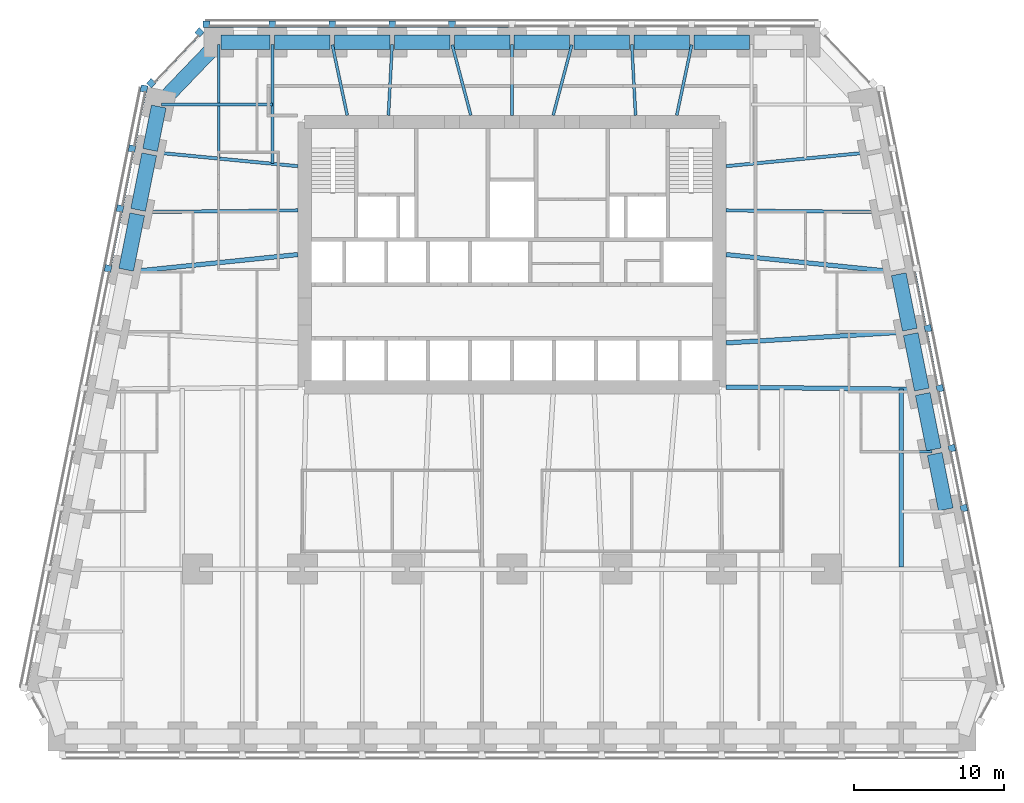
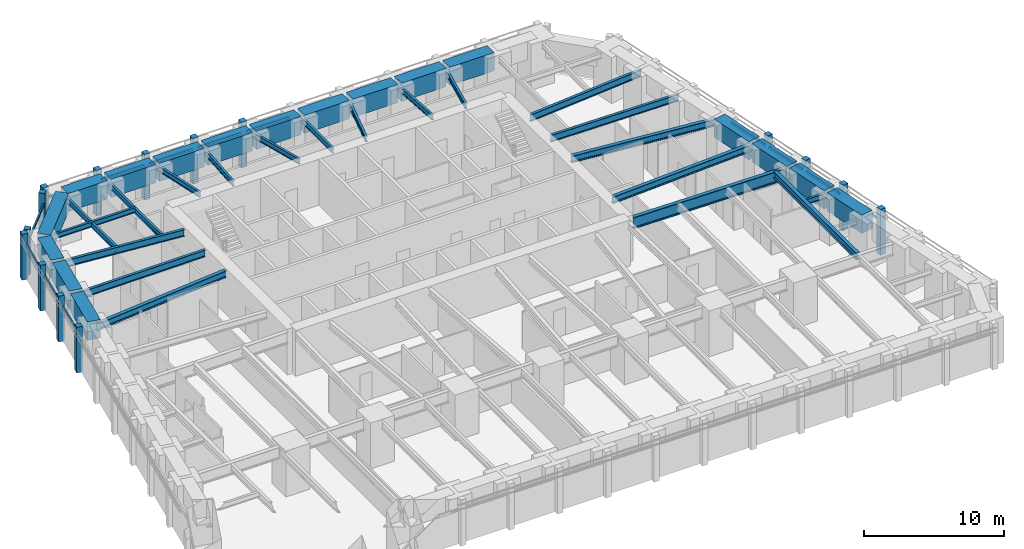
# One storey, part 3 of 10: 37 beams, 28 members, 4 elements without a shape of their own.
"""IFC4 building model written with IfcOpenShell, lengths in metres."""

from ifc_helpers import new_model, si_unit, direction, frame, origin, origin_2d, place, context, subcontext, project, spatial, rectangle, i_section, extrude, material, material_profile, profile_set, type_object, element, aggregate, save


model = new_model("IFC4")

# Units and contexts
model_context = context("Model", 3, precision=1e-05, world=origin(), true_north=direction((0.0, 1.0)))
body_context = subcontext(model_context, "Body", "Model", "MODEL_VIEW")
ifc_project = project(units=[si_unit("LENGTHUNIT", "METRE"), si_unit("AREAUNIT", "SQUARE_METRE"), si_unit("VOLUMEUNIT", "CUBIC_METRE"), si_unit("PLANEANGLEUNIT", "RADIAN"), si_unit("MASSUNIT", "GRAM", prefix="KILO")], contexts=[model_context])

# Site, building, storey
site_placement = place(None, origin())
site = spatial("IfcSite", under=ifc_project, at=site_placement, CompositionType="ELEMENT")
building_placement = place(site_placement, origin())
building = spatial("IfcBuilding", under=site, at=building_placement, Name="Isbrekke Arena Tower", CompositionType="ELEMENT")
storey_placement = place(building_placement, frame((0.0, 0.0, 68.0)))
storey = spatial("IfcBuildingStorey", under=building, at=storey_placement, Name="L14", CompositionType="ELEMENT", Elevation=68.0)

# Beams
ifc_material_1 = material(Name="Steel S355", Category="steel")
ifc_material_profile_1 = material_profile(ifc_material_1, i_section(OverallWidth=0.219970703125, OverallDepth=0.60009765625, WebThickness=0.011962890625, FlangeThickness=0.01904296875, FilletRadius=0.02392578125, at=origin_2d()), Name="IPE 600")
ifc_profile_set_1 = profile_set([ifc_material_profile_1], Name="Steel S355")
beam_type_1 = type_object("IfcBeamType", Name="B1 IPE 600", PredefinedType="BEAM", material=ifc_profile_set_1)
beam_1_placement = place(storey_placement, frame((24.83984375, 17.838134765625, 3.550048828125), z_axis=(-0.999943729589, 0.010608376645, 0.0), x_axis=(-0.010608376645, -0.999943729589, 0.0)))
element("IfcBeam", 1, at=beam_1_placement, inside=storey, type_object=beam_type_1, Name="B1 beam E-E09 L14", PredefinedType="BEAM", context=body_context, shape_type="SweptSolid", body=[
    extrude(i_section(OverallWidth=0.219970703125, OverallDepth=0.60009765625, WebThickness=0.011962890625, FlangeThickness=0.01904296875, FilletRadius=0.02392578125, at=origin_2d()), origin(), (0.0, 0.0, 1.0), 10.540283203125),
])
for number, where, z_axis, x_axis, name in (
    (2, (24.030517578125, 21.837158203125, 3.550048828125), (-0.995393091527, -0.095878012805, 0.0), (0.095878012805, -0.995393091527, 0.0), "B1 beam E-E10 L14"),
    (3, (-24.030517578125, 21.837158203125, 3.550048828125), (0.995393091527, -0.095878012805, 0.0), (0.095878012805, 0.995393091527, 0.0), "B1 beam E-W02 L14"),
):
    element("IfcBeam", number, at=place(storey_placement, frame(where, z_axis=z_axis, x_axis=x_axis)), inside=storey, type_object=beam_type_1, Name=name, PredefinedType="BEAM", context=body_context, shape_type="SweptSolid", body=[
        extrude(i_section(OverallWidth=0.219970703125, OverallDepth=0.60009765625, WebThickness=0.011962890625, FlangeThickness=0.01904296875, FilletRadius=0.02392578125, at=origin_2d()), origin(), (0.0, 0.0, 1.0), 9.775390625),
    ])
beam_2_placement = place(storey_placement, frame((-24.83984375, 17.838134765625, 3.550048828125), z_axis=(0.999943729589, 0.010608376645, 0.0), x_axis=(-0.010608376645, 0.999943729589, 0.0)))
element("IfcBeam", 4, at=beam_2_placement, inside=storey, type_object=beam_type_1, Name="B1 beam E-W03 L14", PredefinedType="BEAM", context=body_context, shape_type="SweptSolid", body=[
    extrude(i_section(OverallWidth=0.219970703125, OverallDepth=0.60009765625, WebThickness=0.011962890625, FlangeThickness=0.01904296875, FilletRadius=0.02392578125, at=origin_2d()), origin(), (0.0, 0.0, 1.0), 10.540283203125),
])
ifc_material_2 = material(Name="Steel S355", Category="steel")
ifc_material_profile_2 = material_profile(ifc_material_2, i_section(OverallWidth=0.18994140625, OverallDepth=0.449951171875, WebThickness=0.009521484375, FlangeThickness=0.0146484375, FilletRadius=0.02099609375, at=origin_2d()), Name="IPE 450")
ifc_profile_set_2 = profile_set([ifc_material_profile_2], Name="Steel S355")
beam_type_2 = type_object("IfcBeamType", Name="B2 IPE 450", PredefinedType="BEAM", material=ifc_profile_set_2)
beam_3_placement = place(storey_placement, frame((28.041015625, 1.838134765625, 3.625), z_axis=(-1.0, 0.0, 0.0), x_axis=(0.0, -1.0, 0.0)))
element("IfcBeam", 5, at=beam_3_placement, inside=storey, type_object=beam_type_2, Name="B2 beam E-E05 L14", PredefinedType="BEAM", context=body_context, shape_type="SweptSolid", body=[
    extrude(i_section(OverallWidth=0.18994140625, OverallDepth=0.449951171875, WebThickness=0.009521484375, FlangeThickness=0.0146484375, FilletRadius=0.02099609375, at=origin_2d()), origin(), (0.0, 0.0, 1.0), 2.041015625),
])
beam_4_placement = place(storey_placement, frame((-23.40283203125, 25.029296875, 3.625), z_axis=(1.0, 0.0, 0.0), x_axis=(0.0, 1.0, 0.0)))
element("IfcBeam", 6, at=beam_4_placement, inside=storey, type_object=beam_type_2, Name="B2 beam E-W01 L14", PredefinedType="BEAM", context=body_context, shape_type="SweptSolid", body=[
    extrude(i_section(OverallWidth=0.18994140625, OverallDepth=0.449951171875, WebThickness=0.009521484375, FlangeThickness=0.0146484375, FilletRadius=0.02099609375, at=origin_2d()), origin(), (0.0, 0.0, 1.0), 7.40283203125),
])
ifc_material_3 = material(Name="Steel S355", Category="steel")
ifc_material_profile_3 = material_profile(ifc_material_3, i_section(OverallWidth=0.18994140625, OverallDepth=0.449951171875, WebThickness=0.009521484375, FlangeThickness=0.0146484375, FilletRadius=0.02099609375, at=origin_2d()), Name="IPE 450")
ifc_profile_set_3 = profile_set([ifc_material_profile_3], Name="Steel S355")
beam_type_3 = type_object("IfcBeamType", Name="B3 IPE 450", PredefinedType="BEAM", material=ifc_profile_set_3)
beam_5_placement = place(storey_placement, frame((-16.0, 29.02490234375, 3.625), z_axis=(0.0, -1.0, 0.0), x_axis=(1.0, 0.0, 0.0)))
element("IfcBeam", 7, at=beam_5_placement, inside=storey, type_object=beam_type_3, Name="B3 beam N-N10 L14", PredefinedType="BEAM", context=body_context, shape_type="SweptSolid", body=[
    extrude(i_section(OverallWidth=0.18994140625, OverallDepth=0.449951171875, WebThickness=0.009521484375, FlangeThickness=0.0146484375, FilletRadius=0.02099609375, at=origin_2d()), origin(), (0.0, 0.0, 1.0), 7.961181640625),
])
beam_6_placement = place(storey_placement, frame((-19.574951171875, 29.02490234375, 3.625), z_axis=(0.0, -1.0, 0.0), x_axis=(1.0, 0.0, 0.0)))
element("IfcBeam", 8, at=beam_6_placement, inside=storey, type_object=beam_type_3, Name="B3 beam N-N11 L14", PredefinedType="BEAM", context=body_context, shape_type="SweptSolid", body=[
    extrude(i_section(OverallWidth=0.18994140625, OverallDepth=0.449951171875, WebThickness=0.009521484375, FlangeThickness=0.0146484375, FilletRadius=0.02099609375, at=origin_2d()), origin(), (0.0, 0.0, 1.0), 7.616943359375),
])
beam_7_placement = place(storey_placement, frame((11.995849609375, 29.005859375, 3.625), z_axis=(-0.207036135686, -0.978333296234, 0.0), x_axis=(0.978333296234, -0.207036135686, 0.0)))
element("IfcBeam", 9, at=beam_7_placement, inside=storey, type_object=beam_type_3, Name="B3 beam N-N03 L14", PredefinedType="BEAM", context=body_context, shape_type="SweptSolid", body=[
    extrude(i_section(OverallWidth=0.18994140625, OverallDepth=0.449951171875, WebThickness=0.009521484375, FlangeThickness=0.0146484375, FilletRadius=0.02099609375, at=origin_2d()), origin(), (0.0, 0.0, 1.0), 4.81005859375),
])
beam_8_placement = place(storey_placement, frame((8.000244140625, 29.02001953125, 3.625), z_axis=(0.05284078094, -0.998602950061, 0.0), x_axis=(0.998602950061, 0.05284078094, 0.0)))
element("IfcBeam", 10, at=beam_8_placement, inside=storey, type_object=beam_type_3, Name="B3 beam N-N04 L14", PredefinedType="BEAM", context=body_context, shape_type="SweptSolid", body=[
    extrude(i_section(OverallWidth=0.18994140625, OverallDepth=0.449951171875, WebThickness=0.009521484375, FlangeThickness=0.0146484375, FilletRadius=0.02099609375, at=origin_2d()), origin(), (0.0, 0.0, 1.0), 4.7265625),
])
beam_9_placement = place(storey_placement, frame((3.993896484375, 29.00146484375, 3.625), z_axis=(-0.255778031922, -0.966735536942, 0.0), x_axis=(0.966735536942, -0.255778031922, 0.0)))
element("IfcBeam", 11, at=beam_9_placement, inside=storey, type_object=beam_type_3, Name="B3 beam N-N05 L14", PredefinedType="BEAM", context=body_context, shape_type="SweptSolid", body=[
    extrude(i_section(OverallWidth=0.18994140625, OverallDepth=0.449951171875, WebThickness=0.009521484375, FlangeThickness=0.0146484375, FilletRadius=0.02099609375, at=origin_2d()), origin(), (0.0, 0.0, 1.0), 4.86328125),
])
beam_10_placement = place(storey_placement, frame((0.0, 29.02490234375, 3.625), z_axis=(0.0, -1.0, 0.0), x_axis=(1.0, 0.0, 0.0)))
element("IfcBeam", 12, at=beam_10_placement, inside=storey, type_object=beam_type_3, Name="B3 beam N-N06 L14", PredefinedType="BEAM", context=body_context, shape_type="SweptSolid", body=[
    extrude(i_section(OverallWidth=0.18994140625, OverallDepth=0.449951171875, WebThickness=0.009521484375, FlangeThickness=0.0146484375, FilletRadius=0.02099609375, at=origin_2d()), origin(), (0.0, 0.0, 1.0), 4.724853515625),
])
beam_11_placement = place(storey_placement, frame((-3.993896484375, 29.00146484375, 3.625), z_axis=(0.255778031922, -0.966735536942, 0.0), x_axis=(0.966735536942, 0.255778031922, 0.0)))
element("IfcBeam", 13, at=beam_11_placement, inside=storey, type_object=beam_type_3, Name="B3 beam N-N07 L14", PredefinedType="BEAM", context=body_context, shape_type="SweptSolid", body=[
    extrude(i_section(OverallWidth=0.18994140625, OverallDepth=0.449951171875, WebThickness=0.009521484375, FlangeThickness=0.0146484375, FilletRadius=0.02099609375, at=origin_2d()), origin(), (0.0, 0.0, 1.0), 4.86328125),
])
beam_12_placement = place(storey_placement, frame((-8.000244140625, 29.02001953125, 3.625), z_axis=(-0.05284078094, -0.998602950061, 0.0), x_axis=(0.998602950061, -0.05284078094, 0.0)))
element("IfcBeam", 14, at=beam_12_placement, inside=storey, type_object=beam_type_3, Name="B3 beam N-N08 L14", PredefinedType="BEAM", context=body_context, shape_type="SweptSolid", body=[
    extrude(i_section(OverallWidth=0.18994140625, OverallDepth=0.449951171875, WebThickness=0.009521484375, FlangeThickness=0.0146484375, FilletRadius=0.02099609375, at=origin_2d()), origin(), (0.0, 0.0, 1.0), 4.7265625),
])
beam_13_placement = place(storey_placement, frame((-11.995849609375, 29.005859375, 3.625), z_axis=(0.207036135686, -0.978333296234, 0.0), x_axis=(0.978333296234, 0.207036135686, 0.0)))
element("IfcBeam", 15, at=beam_13_placement, inside=storey, type_object=beam_type_3, Name="B3 beam N-N09 L14", PredefinedType="BEAM", context=body_context, shape_type="SweptSolid", body=[
    extrude(i_section(OverallWidth=0.18994140625, OverallDepth=0.449951171875, WebThickness=0.009521484375, FlangeThickness=0.0146484375, FilletRadius=0.02099609375, at=origin_2d()), origin(), (0.0, 0.0, 1.0), 4.81005859375),
])
ifc_material_4 = material(Name="Steel S355", Category="steel")
ifc_material_profile_4 = material_profile(ifc_material_4, i_section(OverallWidth=0.300048828125, OverallDepth=0.60009765625, WebThickness=0.015380859375, FlangeThickness=0.030029296875, FilletRadius=0.027099609375, at=origin_2d()), Name="HEB 600")
ifc_profile_set_4 = profile_set([ifc_material_profile_4], Name="Steel S355")
beam_type_4 = type_object("IfcBeamType", Name="B7 HEB 600", PredefinedType="BEAM", material=ifc_profile_set_4)
beam_14_placement = place(storey_placement, frame((26.0, -5.84912109375, 3.550048828125), z_axis=(0.0, 1.0, 0.0), x_axis=(-1.0, 0.0, 0.0)))
element("IfcBeam", 16, at=beam_14_placement, inside=storey, type_object=beam_type_4, Name="B7 beam C-M14 L14", PredefinedType="BEAM", context=body_context, shape_type="SweptSolid", body=[
    extrude(i_section(OverallWidth=0.300048828125, OverallDepth=0.60009765625, WebThickness=0.015380859375, FlangeThickness=0.030029296875, FilletRadius=0.027099609375, at=origin_2d()), origin(), (0.0, 0.0, 1.0), 11.864990234375),
])
beam_15_placement = place(storey_placement, frame((26.431884765625, 9.837646484375, 3.550048828125), z_axis=(-0.998157121592, -0.060682457223, 0.0), x_axis=(0.060682457223, -0.998157121592, 0.0)))
element("IfcBeam", 17, at=beam_15_placement, inside=storey, type_object=beam_type_4, Name="B7 beam E-E07 L14", PredefinedType="BEAM", context=body_context, shape_type="SweptSolid", body=[
    extrude(i_section(OverallWidth=0.300048828125, OverallDepth=0.60009765625, WebThickness=0.015380859375, FlangeThickness=0.030029296875, FilletRadius=0.027099609375, at=origin_2d()), origin(), (0.0, 0.0, 1.0), 12.154296875),
])
for number, where, z_axis, x_axis, name in (
    (18, (25.625732421875, 13.83984375, 3.550048828125), (-0.994794378016, 0.101902627384, 0.0), (-0.101902627384, -0.994794378016, 0.0), "B7 beam E-E08 L14"),
    (19, (-25.625732421875, 13.83984375, 3.550048828125), (0.994794378016, 0.101902627384, 0.0), (-0.101902627384, 0.994794378016, 0.0), "B7 beam E-W04 L14"),
):
    element("IfcBeam", number, at=place(storey_placement, frame(where, z_axis=z_axis, x_axis=x_axis)), inside=storey, type_object=beam_type_4, Name=name, PredefinedType="BEAM", context=body_context, shape_type="SweptSolid", body=[
        extrude(i_section(OverallWidth=0.300048828125, OverallDepth=0.60009765625, WebThickness=0.015380859375, FlangeThickness=0.030029296875, FilletRadius=0.027099609375, at=origin_2d()), origin(), (0.0, 0.0, 1.0), 11.385009765625),
    ])

# Curtain wall, members
ifc_material_5 = material(Name="Glazed aluminium curtain wall", Category="aluminium")
curtain_wall_type = type_object("IfcCurtainWallType", Name="CWL TOWER CURTAIN WALL LOW ZONE", PredefinedType="USERDEFINED", material=ifc_material_5)
curtain_wall_1_placement = place(storey_placement, origin())
curtain_wall_1 = element("IfcCurtainWall", 20, at=curtain_wall_1_placement, inside=storey, type_object=curtain_wall_type, Name="CWL curtain wall L14-E", ObjectType="TOWER CURTAIN WALL LOW ZONE", PredefinedType="USERDEFINED")
ifc_material_6 = material(Name="Aluminium mullion, pale brick slip cladding", Category="masonry")
ifc_material_profile_5 = material_profile(ifc_material_6, rectangle(XDim=0.449951171875, YDim=0.449951171875, at=origin_2d()), Name="PIER 450X450")
ifc_profile_set_5 = profile_set([ifc_material_profile_5], Name="Aluminium mullion, pale brick slip cladding")
member_type_1 = type_object("IfcMemberType", Name="CWL-M PIER MULLION 450 x 450", PredefinedType="MULLION", material=ifc_profile_set_5)
member_1_placement = place(storey_placement, frame((30.167724609375, -1.926513671875, 0.0), z_axis=(0.0, 0.0, 1.0), x_axis=(-0.196116135138, 0.980580675691, 0.0)))
member_1 = element("IfcMember", 21, at=member_1_placement, type_object=member_type_1, Name="CWL-M mullion 4", PredefinedType="MULLION", context=body_context, shape_type="SweptSolid", body=[
    extrude(rectangle(XDim=0.449951171875, YDim=0.449951171875, at=origin_2d()), origin(), (0.0, 0.0, 1.0), 4.0),
])
member_2_placement = place(storey_placement, frame((29.36767578125, 2.073486328125, 0.0), z_axis=(0.0, 0.0, 1.0), x_axis=(-0.196116135138, 0.980580675691, 0.0)))
member_2 = element("IfcMember", 22, at=member_2_placement, type_object=member_type_1, Name="CWL-M mullion 5", PredefinedType="MULLION", context=body_context, shape_type="SweptSolid", body=[
    extrude(rectangle(XDim=0.449951171875, YDim=0.449951171875, at=origin_2d()), origin(), (0.0, 0.0, 1.0), 4.0),
])
member_3_placement = place(storey_placement, frame((28.567626953125, 6.073486328125, 0.0), z_axis=(0.0, 0.0, 1.0), x_axis=(-0.196116135138, 0.980580675691, 0.0)))
member_3 = element("IfcMember", 23, at=member_3_placement, type_object=member_type_1, Name="CWL-M mullion 6", PredefinedType="MULLION", context=body_context, shape_type="SweptSolid", body=[
    extrude(rectangle(XDim=0.449951171875, YDim=0.449951171875, at=origin_2d()), origin(), (0.0, 0.0, 1.0), 4.0),
])
member_4_placement = place(storey_placement, frame((27.767822265625, 10.073486328125, 0.0), z_axis=(0.0, 0.0, 1.0), x_axis=(-0.196116135138, 0.980580675691, 0.0)))
member_4 = element("IfcMember", 24, at=member_4_placement, type_object=member_type_1, Name="CWL-M mullion 7", PredefinedType="MULLION", context=body_context, shape_type="SweptSolid", body=[
    extrude(rectangle(XDim=0.449951171875, YDim=0.449951171875, at=origin_2d()), origin(), (0.0, 0.0, 1.0), 4.0),
])

curtain_wall_2_placement = place(storey_placement, origin())
curtain_wall_2 = element("IfcCurtainWall", 25, at=curtain_wall_2_placement, inside=storey, type_object=curtain_wall_type, Name="CWL curtain wall L14-N", ObjectType="TOWER CURTAIN WALL LOW ZONE", PredefinedType="USERDEFINED")
member_5_placement = place(storey_placement, frame((-4.0, 30.375, 0.0), z_axis=(0.0, 0.0, 1.0), x_axis=(-1.0, 0.0, 0.0)))
member_5 = element("IfcMember", 26, at=member_5_placement, type_object=member_type_1, Name="CWL-M mullion 7", PredefinedType="MULLION", context=body_context, shape_type="SweptSolid", body=[
    extrude(rectangle(XDim=0.449951171875, YDim=0.449951171875, at=origin_2d()), origin(), (0.0, 0.0, 1.0), 4.0),
])
member_6_placement = place(storey_placement, frame((-8.0, 30.375, 0.0), z_axis=(0.0, 0.0, 1.0), x_axis=(-1.0, 0.0, 0.0)))
member_6 = element("IfcMember", 27, at=member_6_placement, type_object=member_type_1, Name="CWL-M mullion 8", PredefinedType="MULLION", context=body_context, shape_type="SweptSolid", body=[
    extrude(rectangle(XDim=0.449951171875, YDim=0.449951171875, at=origin_2d()), origin(), (0.0, 0.0, 1.0), 4.0),
])
member_7_placement = place(storey_placement, frame((-12.0, 30.375, 0.0), z_axis=(0.0, 0.0, 1.0), x_axis=(-1.0, 0.0, 0.0)))
member_7 = element("IfcMember", 28, at=member_7_placement, type_object=member_type_1, Name="CWL-M mullion 9", PredefinedType="MULLION", context=body_context, shape_type="SweptSolid", body=[
    extrude(rectangle(XDim=0.449951171875, YDim=0.449951171875, at=origin_2d()), origin(), (0.0, 0.0, 1.0), 4.0),
])
member_8_placement = place(storey_placement, frame((-16.0, 30.375, 0.0), z_axis=(0.0, 0.0, 1.0), x_axis=(-1.0, 0.0, 0.0)))
member_8 = element("IfcMember", 29, at=member_8_placement, type_object=member_type_1, Name="CWL-M mullion 10", PredefinedType="MULLION", context=body_context, shape_type="SweptSolid", body=[
    extrude(rectangle(XDim=0.449951171875, YDim=0.449951171875, at=origin_2d()), origin(), (0.0, 0.0, 1.0), 4.0),
])
member_9_placement = place(storey_placement, frame((-20.39990234375, 30.375, 0.0), z_axis=(0.0, 0.0, 1.0), x_axis=(-1.0, 0.0, 0.0)))
member_9 = element("IfcMember", 30, at=member_9_placement, type_object=member_type_1, Name="CWL-M mullion 11", PredefinedType="MULLION", context=body_context, shape_type="SweptSolid", body=[
    extrude(rectangle(XDim=0.449951171875, YDim=0.449951171875, at=origin_2d()), origin(), (0.0, 0.0, 1.0), 4.0),
])

curtain_wall_3_placement = place(storey_placement, origin())
curtain_wall_3 = element("IfcCurtainWall", 31, at=curtain_wall_3_placement, inside=storey, type_object=curtain_wall_type, Name="CWL curtain wall L14-NW", ObjectType="TOWER CURTAIN WALL LOW ZONE", PredefinedType="USERDEFINED")
member_10_placement = place(storey_placement, frame((-20.86572265625, 29.83642578125, 0.0), z_axis=(0.0, 0.0, 1.0), x_axis=(-0.68874946192, -0.72499943359, 0.0)))
member_10 = element("IfcMember", 32, at=member_10_placement, type_object=member_type_1, Name="CWL-M mullion 1", PredefinedType="MULLION", context=body_context, shape_type="SweptSolid", body=[
    extrude(rectangle(XDim=0.449951171875, YDim=0.449951171875, at=origin_2d()), origin(), (0.0, 0.0, 1.0), 4.0),
])
member_11_placement = place(storey_placement, frame((-24.087890625, 26.44482421875, 0.0), z_axis=(0.0, 0.0, 1.0), x_axis=(-0.68874946192, -0.72499943359, 0.0)))
member_11 = element("IfcMember", 33, at=member_11_placement, type_object=member_type_1, Name="CWL-M mullion 2", PredefinedType="MULLION", context=body_context, shape_type="SweptSolid", body=[
    extrude(rectangle(XDim=0.449951171875, YDim=0.449951171875, at=origin_2d()), origin(), (0.0, 0.0, 1.0), 4.0),
])

curtain_wall_4_placement = place(storey_placement, origin())
curtain_wall_4 = element("IfcCurtainWall", 34, at=curtain_wall_4_placement, inside=storey, type_object=curtain_wall_type, Name="CWL curtain wall L14-W", ObjectType="TOWER CURTAIN WALL LOW ZONE", PredefinedType="USERDEFINED")
member_12_placement = place(storey_placement, frame((-24.567626953125, 26.073486328125, 0.0), z_axis=(0.0, 0.0, 1.0), x_axis=(-0.196116135138, -0.980580675691, 0.0)))
member_12 = element("IfcMember", 35, at=member_12_placement, type_object=member_type_1, Name="CWL-M mullion 1", PredefinedType="MULLION", context=body_context, shape_type="SweptSolid", body=[
    extrude(rectangle(XDim=0.449951171875, YDim=0.449951171875, at=origin_2d()), origin(), (0.0, 0.0, 1.0), 4.0),
])
member_13_placement = place(storey_placement, frame((-25.36767578125, 22.073486328125, 0.0), z_axis=(0.0, 0.0, 1.0), x_axis=(-0.196116135138, -0.980580675691, 0.0)))
member_13 = element("IfcMember", 36, at=member_13_placement, type_object=member_type_1, Name="CWL-M mullion 2", PredefinedType="MULLION", context=body_context, shape_type="SweptSolid", body=[
    extrude(rectangle(XDim=0.449951171875, YDim=0.449951171875, at=origin_2d()), origin(), (0.0, 0.0, 1.0), 4.0),
])
member_14_placement = place(storey_placement, frame((-26.167724609375, 18.073486328125, 0.0), z_axis=(0.0, 0.0, 1.0), x_axis=(-0.196116135138, -0.980580675691, 0.0)))
member_14 = element("IfcMember", 37, at=member_14_placement, type_object=member_type_1, Name="CWL-M mullion 3", PredefinedType="MULLION", context=body_context, shape_type="SweptSolid", body=[
    extrude(rectangle(XDim=0.449951171875, YDim=0.449951171875, at=origin_2d()), origin(), (0.0, 0.0, 1.0), 4.0),
])
member_15_placement = place(storey_placement, frame((-26.9677734375, 14.073486328125, 0.0), z_axis=(0.0, 0.0, 1.0), x_axis=(-0.196116135138, -0.980580675691, 0.0)))
member_15 = element("IfcMember", 38, at=member_15_placement, type_object=member_type_1, Name="CWL-M mullion 4", PredefinedType="MULLION", context=body_context, shape_type="SweptSolid", body=[
    extrude(rectangle(XDim=0.449951171875, YDim=0.449951171875, at=origin_2d()), origin(), (0.0, 0.0, 1.0), 4.0),
])

# Member
ifc_material_7 = material(Name="Aluminium transom", Category="aluminium")
ifc_material_profile_6 = material_profile(ifc_material_7, rectangle(XDim=0.1201171875, YDim=0.199951171875, at=origin_2d()), Name="TRANSOM 120X200")
ifc_profile_set_6 = profile_set([ifc_material_profile_6], Name="Aluminium transom")
member_type_2 = type_object("IfcMemberType", Name="CWL-T TRANSOM 120 x 200", PredefinedType="USERDEFINED", material=ifc_profile_set_6)
member_16_placement = place(storey_placement, frame((30.0009765625, -1.730224609375, 3.0), z_axis=(-0.196103197847, 0.98058326306, 0.0), x_axis=(-0.98058326306, -0.196103197847, 0.0)))
member_16 = element("IfcMember", 39, at=member_16_placement, type_object=member_type_2, Name="CWL-T transom 4", ObjectType="TRANSOM", PredefinedType="USERDEFINED", context=body_context, shape_type="SweptSolid", body=[
    extrude(rectangle(XDim=0.1201171875, YDim=0.199951171875, at=origin_2d()), origin(), (0.0, 0.0, 1.0), 3.629150390625),
])

member_17_placement = place(storey_placement, frame((29.200927734375, 2.269775390625, 3.0), z_axis=(-0.196103197847, 0.98058326306, 0.0), x_axis=(-0.98058326306, -0.196103197847, 0.0)))
member_17 = element("IfcMember", 40, at=member_17_placement, type_object=member_type_2, Name="CWL-T transom 5", ObjectType="TRANSOM", PredefinedType="USERDEFINED", context=body_context, shape_type="SweptSolid", body=[
    extrude(rectangle(XDim=0.1201171875, YDim=0.199951171875, at=origin_2d()), origin(), (0.0, 0.0, 1.0), 3.629150390625),
])

member_18_placement = place(storey_placement, frame((28.401123046875, 6.269775390625, 3.0), z_axis=(-0.196167883278, 0.980570324643, 0.0), x_axis=(-0.980570324643, -0.196167883278, 0.0)))
member_18 = element("IfcMember", 41, at=member_18_placement, type_object=member_type_2, Name="CWL-T transom 6", ObjectType="TRANSOM", PredefinedType="USERDEFINED", context=body_context, shape_type="SweptSolid", body=[
    extrude(rectangle(XDim=0.1201171875, YDim=0.199951171875, at=origin_2d()), origin(), (0.0, 0.0, 1.0), 3.629150390625),
])

member_19_placement = place(storey_placement, frame((27.60107421875, 10.269775390625, 3.0), z_axis=(-0.196167883278, 0.980570324643, 0.0), x_axis=(-0.980570324643, -0.196167883278, 0.0)))
member_19 = element("IfcMember", 42, at=member_19_placement, type_object=member_type_2, Name="CWL-T transom 7", ObjectType="TRANSOM", PredefinedType="USERDEFINED", context=body_context, shape_type="SweptSolid", body=[
    extrude(rectangle(XDim=0.1201171875, YDim=0.199951171875, at=origin_2d()), origin(), (0.0, 0.0, 1.0), 3.629150390625),
])

aggregate(curtain_wall_1, [member_1, member_2, member_3, member_4, member_16, member_17, member_18, member_19])

member_20_placement = place(storey_placement, frame((-0.22509765625, 30.25, 3.0), z_axis=(-1.0, 0.0, 0.0), x_axis=(0.0, -1.0, 0.0)))
member_20 = element("IfcMember", 43, at=member_20_placement, type_object=member_type_2, Name="CWL-T transom 6", ObjectType="TRANSOM", PredefinedType="USERDEFINED", context=body_context, shape_type="SweptSolid", body=[
    extrude(rectangle(XDim=0.1201171875, YDim=0.199951171875, at=origin_2d()), origin(), (0.0, 0.0, 1.0), 3.5498046875),
])

member_21_placement = place(storey_placement, frame((-4.22509765625, 30.25, 3.0), z_axis=(-1.0, 0.0, 0.0), x_axis=(0.0, -1.0, 0.0)))
member_21 = element("IfcMember", 44, at=member_21_placement, type_object=member_type_2, Name="CWL-T transom 7", ObjectType="TRANSOM", PredefinedType="USERDEFINED", context=body_context, shape_type="SweptSolid", body=[
    extrude(rectangle(XDim=0.1201171875, YDim=0.199951171875, at=origin_2d()), origin(), (0.0, 0.0, 1.0), 3.5498046875),
])

member_22_placement = place(storey_placement, frame((-8.22509765625, 30.25, 3.0), z_axis=(-1.0, 0.0, 0.0), x_axis=(0.0, -1.0, 0.0)))
member_22 = element("IfcMember", 45, at=member_22_placement, type_object=member_type_2, Name="CWL-T transom 8", ObjectType="TRANSOM", PredefinedType="USERDEFINED", context=body_context, shape_type="SweptSolid", body=[
    extrude(rectangle(XDim=0.1201171875, YDim=0.199951171875, at=origin_2d()), origin(), (0.0, 0.0, 1.0), 3.5498046875),
])

member_23_placement = place(storey_placement, frame((-12.22509765625, 30.25, 3.0), z_axis=(-1.0, 0.0, 0.0), x_axis=(0.0, -1.0, 0.0)))
member_23 = element("IfcMember", 46, at=member_23_placement, type_object=member_type_2, Name="CWL-T transom 9", ObjectType="TRANSOM", PredefinedType="USERDEFINED", context=body_context, shape_type="SweptSolid", body=[
    extrude(rectangle(XDim=0.1201171875, YDim=0.199951171875, at=origin_2d()), origin(), (0.0, 0.0, 1.0), 3.5498046875),
])

member_24_placement = place(storey_placement, frame((-16.22509765625, 30.25, 3.0), z_axis=(-1.0, 0.0, 0.0), x_axis=(0.0, -1.0, 0.0)))
member_24 = element("IfcMember", 47, at=member_24_placement, type_object=member_type_2, Name="CWL-T transom 10", ObjectType="TRANSOM", PredefinedType="USERDEFINED", context=body_context, shape_type="SweptSolid", body=[
    extrude(rectangle(XDim=0.1201171875, YDim=0.199951171875, at=origin_2d()), origin(), (0.0, 0.0, 1.0), 3.949951171875),
])

aggregate(curtain_wall_2, [member_5, member_6, member_7, member_8, member_9, member_20, member_21, member_22, member_23, member_24])

member_25_placement = place(storey_placement, frame((-20.93017578125, 29.587158203125, 3.0), z_axis=(-0.6887433918, -0.725005200155, 0.0), x_axis=(0.725005200155, -0.6887433918, 0.0)))
member_25 = element("IfcMember", 48, at=member_25_placement, type_object=member_type_2, Name="CWL-T transom 1", ObjectType="TRANSOM", PredefinedType="USERDEFINED", context=body_context, shape_type="SweptSolid", body=[
    extrude(rectangle(XDim=0.1201171875, YDim=0.199951171875, at=origin_2d()), origin(), (0.0, 0.0, 1.0), 4.22802734375),
])

aggregate(curtain_wall_3, [member_10, member_11, member_25])

member_26_placement = place(storey_placement, frame((-24.4892578125, 25.828369140625, 3.0), z_axis=(-0.196103197847, -0.98058326306, 0.0), x_axis=(0.98058326306, -0.196103197847, 0.0)))
member_26 = element("IfcMember", 49, at=member_26_placement, type_object=member_type_2, Name="CWL-T transom 1", ObjectType="TRANSOM", PredefinedType="USERDEFINED", context=body_context, shape_type="SweptSolid", body=[
    extrude(rectangle(XDim=0.1201171875, YDim=0.199951171875, at=origin_2d()), origin(), (0.0, 0.0, 1.0), 3.629150390625),
])

member_27_placement = place(storey_placement, frame((-25.289306640625, 21.828369140625, 3.0), z_axis=(-0.196103197847, -0.98058326306, 0.0), x_axis=(0.98058326306, -0.196103197847, 0.0)))
member_27 = element("IfcMember", 50, at=member_27_placement, type_object=member_type_2, Name="CWL-T transom 2", ObjectType="TRANSOM", PredefinedType="USERDEFINED", context=body_context, shape_type="SweptSolid", body=[
    extrude(rectangle(XDim=0.1201171875, YDim=0.199951171875, at=origin_2d()), origin(), (0.0, 0.0, 1.0), 3.629150390625),
])

member_28_placement = place(storey_placement, frame((-26.08935546875, 17.828369140625, 3.0), z_axis=(-0.196103197847, -0.98058326306, 0.0), x_axis=(0.98058326306, -0.196103197847, 0.0)))
member_28 = element("IfcMember", 51, at=member_28_placement, type_object=member_type_2, Name="CWL-T transom 3", ObjectType="TRANSOM", PredefinedType="USERDEFINED", context=body_context, shape_type="SweptSolid", body=[
    extrude(rectangle(XDim=0.1201171875, YDim=0.199951171875, at=origin_2d()), origin(), (0.0, 0.0, 1.0), 3.629150390625),
])

aggregate(curtain_wall_4, [member_12, member_13, member_14, member_15, member_26, member_27, member_28])

# Beams
ifc_material_8 = material(Name="Steel S355", Category="steel")
ifc_material_profile_7 = material_profile(ifc_material_8, i_section(OverallWidth=0.302001953125, OverallDepth=1.008056640625, WebThickness=0.02099609375, FlangeThickness=0.0400390625, FilletRadius=0.030029296875, at=origin_2d()), Name="HEM 1000")
ifc_profile_set_7 = profile_set([ifc_material_profile_7], Name="Steel S355")
beam_type_5 = type_object("IfcBeamType", Name="G2 HEM 1000", PredefinedType="BEAM", material=ifc_profile_set_7)
beam_16_placement = place(storey_placement, frame((14.300048828125, 6.14990234375, 3.345947265625), z_axis=(0.999934429634, -0.011451481699, 0.0), x_axis=(0.011451481699, 0.999934429634, 0.0)))
element("IfcBeam", 52, at=beam_16_placement, inside=storey, type_object=beam_type_5, Name="G2 beam G2-E L14", PredefinedType="BEAM", context=body_context, shape_type="SweptSolid", body=[
    extrude(i_section(OverallWidth=0.302001953125, OverallDepth=1.008056640625, WebThickness=0.02099609375, FlangeThickness=0.0400390625, FilletRadius=0.030029296875, at=origin_2d()), origin(), (0.0, 0.0, 1.0), 13.09033203125),
])
ifc_material_9 = material(Name="Concrete B90 (C90/105)", Category="concrete")
ifc_material_profile_8 = material_profile(ifc_material_9, rectangle(XDim=1.0, YDim=1.60009765625, at=origin_2d()), Name="RC 1000x1600")
ifc_profile_set_8 = profile_set([ifc_material_profile_8], Name="Concrete B90 (C90/105)")
beam_type_6 = type_object("IfcBeamType", Name="SB1 RC 1000 x 1600", PredefinedType="SPANDREL", material=ifc_profile_set_8)
for number, where, z_axis, x_axis, name in (
    (53, (28.961669921875, -2.0146484375, 3.199951171875), (-0.196128558387, 0.980578190959, 0.0), (-0.980578190959, -0.196128558387, 0.0), "SB1 spandrel E04-E05 L14"),
    (54, (28.16162109375, 1.9853515625, 3.199951171875), (-0.196128558387, 0.980578190959, 0.0), (-0.980578190959, -0.196128558387, 0.0), "SB1 spandrel E05-E06 L14"),
    (55, (27.361572265625, 5.9853515625, 3.199951171875), (-0.196128558387, 0.980578190959, 0.0), (-0.980578190959, -0.196128558387, 0.0), "SB1 spandrel E06-E07 L14"),
):
    element("IfcBeam", number, at=place(storey_placement, frame(where, z_axis=z_axis, x_axis=x_axis)), inside=storey, type_object=beam_type_6, Name=name, PredefinedType="SPANDREL", context=body_context, shape_type="SweptSolid", body=[
        extrude(rectangle(XDim=1.0, YDim=1.60009765625, at=origin_2d()), origin(), (0.0, 0.0, 1.0), 3.779296875),
    ])
beam_17_placement = place(storey_placement, frame((26.5615234375, 9.9853515625, 3.199951171875), z_axis=(-0.1960664412, 0.980590613169, 0.0), x_axis=(-0.980590613169, -0.1960664412, 0.0)))
element("IfcBeam", 56, at=beam_17_placement, inside=storey, type_object=beam_type_6, Name="SB1 spandrel E07-E08 L14", PredefinedType="SPANDREL", context=body_context, shape_type="SweptSolid", body=[
    extrude(rectangle(XDim=1.0, YDim=1.60009765625, at=origin_2d()), origin(), (0.0, 0.0, 1.0), 3.779052734375),
])
for number, where, z_axis, x_axis, name in (
    (57, (15.85009765625, 29.175048828125, 3.199951171875), (-1.0, 0.0, 0.0), (0.0, -1.0, 0.0), "SB1 spandrel N02-N03 L14"),
    (58, (11.85009765625, 29.175048828125, 3.199951171875), (-1.0, 0.0, 0.0), (0.0, -1.0, 0.0), "SB1 spandrel N03-N04 L14"),
    (59, (7.85009765625, 29.175048828125, 3.199951171875), (-1.0, 0.0, 0.0), (0.0, -1.0, 0.0), "SB1 spandrel N04-N05 L14"),
    (60, (3.85009765625, 29.175048828125, 3.199951171875), (-1.0, 0.0, 0.0), (0.0, -1.0, 0.0), "SB1 spandrel N05-N06 L14"),
    (61, (-0.14990234375, 29.175048828125, 3.199951171875), (-1.0, 0.0, 0.0), (0.0, -1.0, 0.0), "SB1 spandrel N06-N07 L14"),
    (62, (-4.14990234375, 29.175048828125, 3.199951171875), (-1.0, 0.0, 0.0), (0.0, -1.0, 0.0), "SB1 spandrel N07-N08 L14"),
    (63, (-8.14990234375, 29.175048828125, 3.199951171875), (-1.0, 0.0, 0.0), (0.0, -1.0, 0.0), "SB1 spandrel N08-N09 L14"),
    (64, (-12.14990234375, 29.175048828125, 3.199951171875), (-1.0, 0.0, 0.0), (0.0, -1.0, 0.0), "SB1 spandrel N09-N10 L14"),
):
    element("IfcBeam", number, at=place(storey_placement, frame(where, z_axis=z_axis, x_axis=x_axis)), inside=storey, type_object=beam_type_6, Name=name, PredefinedType="SPANDREL", context=body_context, shape_type="SweptSolid", body=[
        extrude(rectangle(XDim=1.0, YDim=1.60009765625, at=origin_2d()), origin(), (0.0, 0.0, 1.0), 3.7001953125),
    ])
beam_18_placement = place(storey_placement, frame((-16.14990234375, 29.175048828125, 3.199951171875), z_axis=(-1.0, 0.0, 0.0), x_axis=(0.0, -1.0, 0.0)))
element("IfcBeam", 65, at=beam_18_placement, inside=storey, type_object=beam_type_6, Name="SB1 spandrel N10-N11 L14", PredefinedType="SPANDREL", context=body_context, shape_type="SweptSolid", body=[
    extrude(rectangle(XDim=1.0, YDim=1.60009765625, at=origin_2d()), origin(), (0.0, 0.0, 1.0), 3.275146484375),
])
beam_19_placement = place(storey_placement, frame((-19.678955078125, 29.066650390625, 3.199951171875), z_axis=(-0.692339547635, -0.721571861134, 0.0), x_axis=(0.721571861134, -0.692339547635, 0.0)))
element("IfcBeam", 66, at=beam_19_placement, inside=storey, type_object=beam_type_6, Name="SB1 spandrel N11-W01 L14", PredefinedType="SPANDREL", context=body_context, shape_type="SweptSolid", body=[
    extrude(rectangle(XDim=1.0, YDim=1.60009765625, at=origin_2d()), origin(), (0.0, 0.0, 1.0), 5.4453125),
])
beam_20_placement = place(storey_placement, frame((-23.582275390625, 24.882080078125, 3.199951171875), z_axis=(-0.196116135138, -0.980580675691, 0.0), x_axis=(0.980580675691, -0.196116135138, 0.0)))
element("IfcBeam", 67, at=beam_20_placement, inside=storey, type_object=beam_type_6, Name="SB1 spandrel W01-W02 L14", PredefinedType="SPANDREL", context=body_context, shape_type="SweptSolid", body=[
    extrude(rectangle(XDim=1.0, YDim=1.60009765625, at=origin_2d()), origin(), (0.0, 0.0, 1.0), 2.9541015625),
])
for number, where, z_axis, x_axis, name in (
    (68, (-24.220458984375, 21.691162109375, 3.199951171875), (-0.196128558387, -0.980578190959, 0.0), (0.980578190959, -0.196128558387, 0.0), "SB1 spandrel W02-W03 L14"),
    (69, (-25.0205078125, 17.691162109375, 3.199951171875), (-0.196128558387, -0.980578190959, 0.0), (0.980578190959, -0.196128558387, 0.0), "SB1 spandrel W03-W04 L14"),
):
    element("IfcBeam", number, at=place(storey_placement, frame(where, z_axis=z_axis, x_axis=x_axis)), inside=storey, type_object=beam_type_6, Name=name, PredefinedType="SPANDREL", context=body_context, shape_type="SweptSolid", body=[
        extrude(rectangle(XDim=1.0, YDim=1.60009765625, at=origin_2d()), origin(), (0.0, 0.0, 1.0), 3.779296875),
    ])

save(model, "model.ifc")
